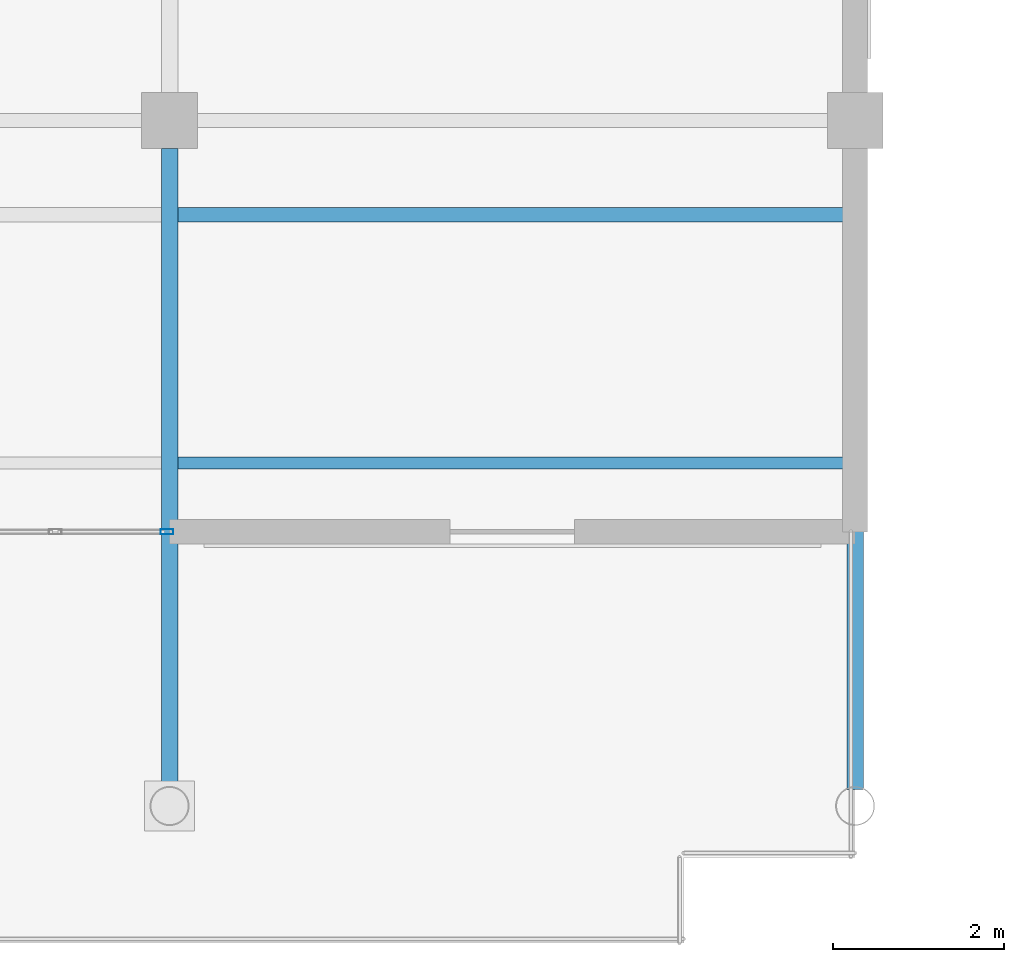
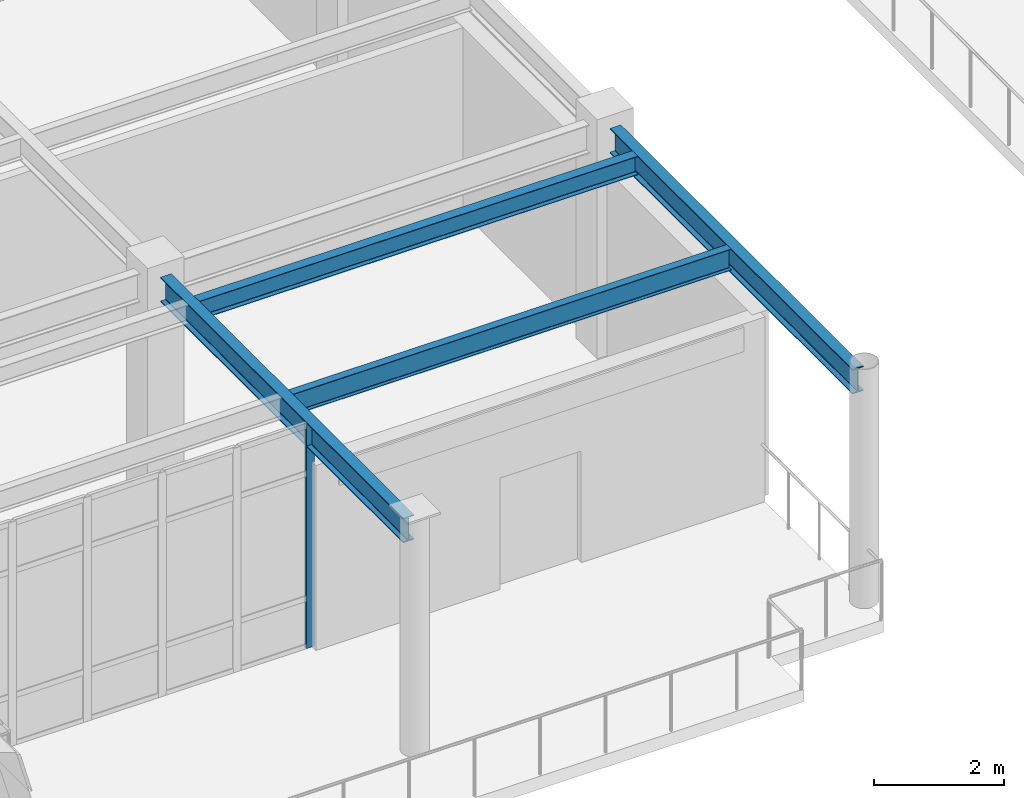
# One storey, part 46 of 75: 4 beams, 1 member, 1 element without a shape of its own.
"""IFC4 building model written with IfcOpenShell, lengths in metres."""

from ifc_helpers import new_model, si_unit, direction, frame, origin, origin_2d, place, context, subcontext, project, spatial, hollow_rectangle, i_section, extrude, material, material_profile, profile_set, type_object, element, aggregate, save


model = new_model("IFC4")

# Units and contexts
model_context = context("Model", 3, precision=1e-05, world=origin(), true_north=direction((0.0, 1.0)))
body_context = subcontext(model_context, "Body", "Model", "MODEL_VIEW")
ifc_project = project(units=[si_unit("LENGTHUNIT", "METRE"), si_unit("AREAUNIT", "SQUARE_METRE"), si_unit("VOLUMEUNIT", "CUBIC_METRE"), si_unit("PLANEANGLEUNIT", "RADIAN"), si_unit("MASSUNIT", "GRAM", prefix="KILO")], contexts=[model_context])

# Site, building, storey
site_placement = place(None, origin())
site = spatial("IfcSite", under=ifc_project, at=site_placement, CompositionType="ELEMENT")
building_placement = place(site_placement, origin())
building = spatial("IfcBuilding", under=site, at=building_placement, Name="Solmirada Galleria", CompositionType="ELEMENT")
storey_placement = place(building_placement, frame((0.0, 0.0, 19.39990234375)))
storey = spatial("IfcBuildingStorey", under=building, at=storey_placement, Name="L04", CompositionType="ELEMENT", Elevation=19.39990234375)

# Beams
ifc_material_1 = material(Name="Steel S355 / ASTM A992 Grade 50", Category="steel")
ifc_material_profile_1 = material_profile(ifc_material_1, i_section(OverallWidth=0.193115234375, OverallDepth=0.466064453125, WebThickness=0.011474609375, FlangeThickness=0.01904296875, FilletRadius=0.013916015625, at=origin_2d()), Name="W18X65")
ifc_profile_set_1 = profile_set([ifc_material_profile_1], Name="Steel S355 / ASTM A992 Grade 50")
beam_type_1 = type_object("IfcBeamType", Name="BM-GIRD-W18C", PredefinedType="BEAM", material=ifc_profile_set_1)
for number, where, z_axis, x_axis, name in (
    (1, (104.0, 88.19189453125, 4.027099609375), (0.0, 1.0, 0.0), (-1.0, 0.0, 0.0), "Primary girder L05 Y(104, 88..96)"),
    (2, (112.0, 88.19189453125, 4.027099609375), (0.0, 1.0, 0.0), (-1.0, 0.0, 0.0), "Primary girder L05 Y(112, 88..96)"),
):
    element("IfcBeam", number, at=place(storey_placement, frame(where, z_axis=z_axis, x_axis=x_axis)), inside=storey, type_object=beam_type_1, Name=name, PredefinedType="BEAM", context=body_context, shape_type="SweptSolid", body=[
        extrude(i_section(OverallWidth=0.193115234375, OverallDepth=0.466064453125, WebThickness=0.011474609375, FlangeThickness=0.01904296875, FilletRadius=0.013916015625, at=origin_2d()), origin(), (0.0, 0.0, 1.0), 7.483154296875),
    ])
ifc_material_profile_2 = material_profile(ifc_material_1, i_section(OverallWidth=0.1708984375, OverallDepth=0.35205078125, WebThickness=0.0068359375, FlangeThickness=0.009765625, FilletRadius=0.010986328125, at=origin_2d()), Name="W14X30")
ifc_profile_set_2 = profile_set([ifc_material_profile_2], Name="Steel S355 / ASTM A992 Grade 50")
beam_type_2 = type_object("IfcBeamType", Name="BM-JST-W14B", PredefinedType="JOIST", material=ifc_profile_set_2)
beam_1_placement = place(storey_placement, frame((104.096435546875, 94.89990234375, 4.083984375), z_axis=(1.0, 0.0, 0.0), x_axis=(0.0, 1.0, 0.0)))
element("IfcBeam", 3, at=beam_1_placement, inside=storey, type_object=beam_type_2, Name="Terrace deck joist L05-TERR-NE X=104..112 (2)", PredefinedType="JOIST", context=body_context, shape_type="SweptSolid", body=[
    extrude(i_section(OverallWidth=0.1708984375, OverallDepth=0.35205078125, WebThickness=0.0068359375, FlangeThickness=0.009765625, FilletRadius=0.010986328125, at=origin_2d()), origin(), (0.0, 0.0, 1.0), 7.80712890625),
])
ifc_material_profile_3 = material_profile(ifc_material_1, i_section(OverallWidth=0.139892578125, OverallDepth=0.39892578125, WebThickness=0.00634765625, FlangeThickness=0.0087890625, FilletRadius=0.010986328125, at=origin_2d()), Name="W16X26")
ifc_profile_set_3 = profile_set([ifc_material_profile_3], Name="Steel S355 / ASTM A992 Grade 50")
beam_type_3 = type_object("IfcBeamType", Name="BM-JST-W16C", PredefinedType="JOIST", material=ifc_profile_set_3)
beam_2_placement = place(storey_placement, frame((104.096435546875, 92.0, 4.060546875), z_axis=(1.0, 0.0, 0.0), x_axis=(0.0, 1.0, 0.0)))
element("IfcBeam", 4, at=beam_2_placement, inside=storey, type_object=beam_type_3, Name="Composite floor joist L05 (104..112, 92.0)", PredefinedType="JOIST", context=body_context, shape_type="SweptSolid", body=[
    extrude(i_section(OverallWidth=0.139892578125, OverallDepth=0.39892578125, WebThickness=0.00634765625, FlangeThickness=0.0087890625, FilletRadius=0.010986328125, at=origin_2d()), origin(), (0.0, 0.0, 1.0), 7.80712890625),
])

# Curtain wall, member
ifc_material_2 = material(Name="Impact-resistant low-E double glazing", Category="glass")
curtain_wall_type = type_object("IfcCurtainWallType", Name="CW-FZ4-L04-B6-L080", PredefinedType="NOTDEFINED", material=ifc_material_2)
curtain_wall_placement = place(storey_placement, origin())
curtain_wall = element("IfcCurtainWall", 5, at=curtain_wall_placement, inside=storey, type_object=curtain_wall_type, Name="Terrace and arcade storefront CW-L04-151", PredefinedType="NOTDEFINED")
ifc_material_3 = material(Name="Anodised aluminium framing", Category="aluminium")
ifc_material_profile_4 = material_profile(ifc_material_3, hollow_rectangle(XDim=0.06005859375, YDim=0.14990234375, WallThickness=0.00341796875, InnerFilletRadius=0.00341796875, OuterFilletRadius=0.007080078125, at=origin_2d()), Name="ALU-MULL-150X60")
ifc_profile_set_4 = profile_set([ifc_material_profile_4], Name="Anodised aluminium framing")
member_type = type_object("IfcMemberType", Name="CW-MULL-150", PredefinedType="MULLION", material=ifc_profile_set_4)
member_placement = place(storey_placement, frame((103.969970703125, 91.199951171875, 0.0), z_axis=(0.0, 0.0, 1.0), x_axis=(0.0, -1.0, 0.0)))
member = element("IfcMember", 6, at=member_placement, type_object=member_type, Name="CW31 mullion 1", PredefinedType="MULLION", context=body_context, shape_type="SweptSolid", body=[
    extrude(hollow_rectangle(XDim=0.06005859375, YDim=0.14990234375, WallThickness=0.00341796875, InnerFilletRadius=0.00341796875, OuterFilletRadius=0.007080078125, at=origin_2d()), origin(), (0.0, 0.0, 1.0), 4.22021484375),
])
aggregate(curtain_wall, [member])

save(model, "model.ifc")
